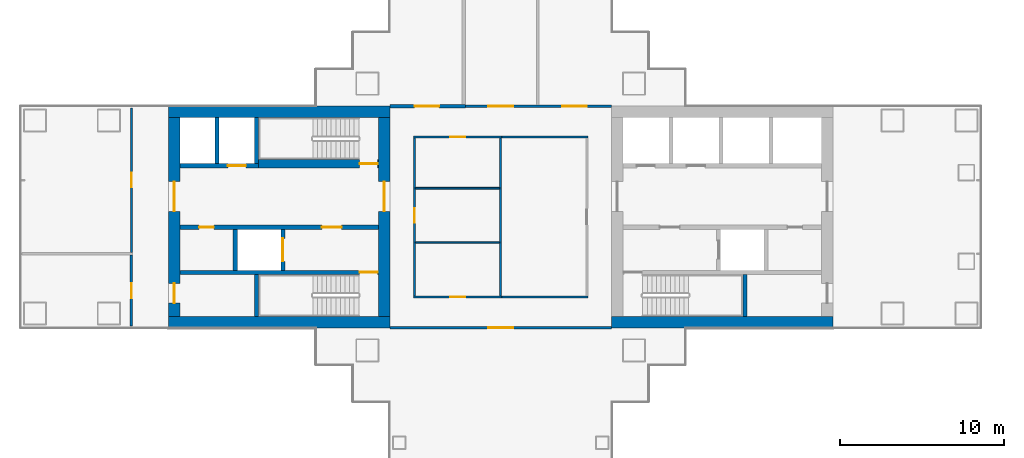
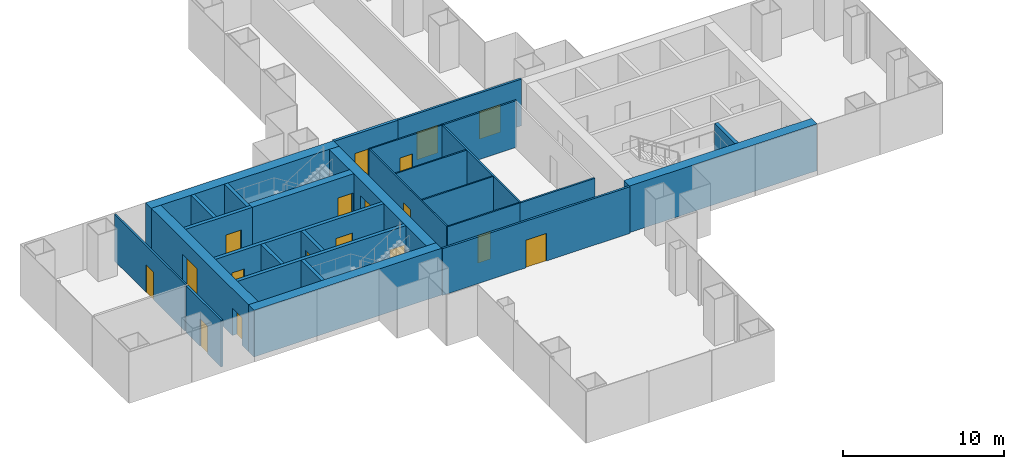
# One storey, part 13 of 21: 28 walls, 18 doors, 18 openings.
"""IFC4 building model written with IfcOpenShell, lengths in metres."""

import ifcopenshell
import ifcopenshell.guid

model = None  # the IFC model being written
_history = None  # IfcOwnerHistory: only IFC2X3 demands one
_inside = {}  # id of a spatial element -> (the spatial element, [elements in it])
_under = {}  # id of a project, library or spatial element -> (it, [spatial elements below it])
_declared = {}  # id of a project -> (the project, [libraries it declares])
_typed = {}  # id of a type object -> (the type object, [elements of that type])
_made_of = {}  # id of a material, layer set ... -> (it, [elements and type objects made of it])


def new_model(schema):
    """Start an empty IFC model of exactly this schema.

    Asked for "IFC4X3", IfcOpenShell would pick the latest addendum, in which some entities
    have other attributes; the version numbers below select the first issue.
    IFC2X3 requires an IfcOwnerHistory on every rooted entity: one is made here for all.
    """
    global model, _history
    if schema == "IFC4X3":
        model = ifcopenshell.file(schema_version=(4, 3, 0, 0))
    else:
        model = ifcopenshell.file(schema=schema)
    _inside.clear()
    _under.clear()
    _declared.clear()
    _typed.clear()
    _made_of.clear()
    _history = None
    if model.schema == "IFC2X3":
        org = make("IfcOrganization", Name="unknown")
        user = make(
            "IfcPersonAndOrganization",
            ThePerson=make("IfcPerson", FamilyName="unknown"),
            TheOrganization=org,
        )
        app = make(
            "IfcApplication",
            ApplicationDeveloper=org,
            Version="unknown",
            ApplicationFullName="unknown",
            ApplicationIdentifier="unknown",
        )
        _history = make(
            "IfcOwnerHistory",
            OwningUser=user,
            OwningApplication=app,
            ChangeAction="ADDED",
            CreationDate=0,
        )
    return model


def make(cls, **values):
    """One entity of the class cls with the attributes given. An attribute that is None is left unset."""
    return model.create_entity(
        cls, **{name: value for name, value in values.items() if value is not None}
    )


def rooted(cls, **values):
    """An entity with a GlobalId (a new one), such as an element, a storey or a relation."""
    return make(cls, GlobalId=ifcopenshell.guid.new(), OwnerHistory=_history, **values)


def si_unit(unit_type, name, prefix=None):
    """IfcSIUnit, for example si_unit("LENGTHUNIT", "METRE", prefix="MILLI")."""
    return make("IfcSIUnit", UnitType=unit_type, Prefix=prefix, Name=name)


def assignment(units):
    """IfcUnitAssignment: the units of a project."""
    return None if units is None else make("IfcUnitAssignment", Units=units)


def point(xyz):
    """IfcCartesianPoint."""
    return None if xyz is None else make("IfcCartesianPoint", Coordinates=xyz)


def direction(xyz):
    """IfcDirection."""
    return None if xyz is None else make("IfcDirection", DirectionRatios=xyz)


def frame(location, z_axis=None, x_axis=None):
    """IfcAxis2Placement3D, a coordinate frame: its origin and axes. An axis left out is left unset."""
    return make(
        "IfcAxis2Placement3D",
        Location=point(location),
        Axis=direction(z_axis),
        RefDirection=direction(x_axis),
    )


def frame_2d(location, x_axis=None):
    """IfcAxis2Placement2D, a coordinate frame in the plane: its origin and x axis."""
    return make(
        "IfcAxis2Placement2D", Location=point(location), RefDirection=direction(x_axis)
    )


def origin():
    """The frame at (0, 0, 0) with its axes left unset."""
    return frame((0.0, 0.0, 0.0))


def place(relative_to, where):
    """IfcLocalPlacement: puts the frame where relative to a parent placement (None: the world)."""
    return make(
        "IfcLocalPlacement", PlacementRelTo=relative_to, RelativePlacement=where
    )


def context(
    kind, dimensions, precision=None, world=None, true_north=None, identifier=None
):
    """IfcGeometricRepresentationContext, for example the 3D "Model" context."""
    return make(
        "IfcGeometricRepresentationContext",
        ContextIdentifier=identifier,
        ContextType=kind,
        CoordinateSpaceDimension=dimensions,
        Precision=precision,
        WorldCoordinateSystem=world,
        TrueNorth=true_north,
    )


def subcontext(parent, identifier, kind, view, scale=None):
    """IfcGeometricRepresentationSubContext, for example "Body" below "Model"."""
    return make(
        "IfcGeometricRepresentationSubContext",
        ContextIdentifier=identifier,
        ContextType=kind,
        ParentContext=parent,
        TargetScale=scale,
        TargetView=view,
    )


def project(units=None, contexts=None):
    """IfcProject with its units and contexts."""
    return rooted(
        "IfcProject",
        Name="project",
        RepresentationContexts=contexts,
        UnitsInContext=assignment(units),
    )


def spatial(cls, under=None, at=None, **own):
    """A site, building, storey or space (cls), placed at a placement, below another one or the project."""
    s = rooted(cls, ObjectPlacement=at, **own)
    if under is not None:
        _under.setdefault(under.id(), (under, []))[1].append(s)
    return s


def profile(cls, at=None, kind="AREA", **sizes):
    """A parametric profile (cls). Its sizes go by their IFC names, for example OverallWidth=200.0."""
    return make(cls, ProfileType=kind, Position=at, **sizes)


def rectangle(**sizes):
    """IfcRectangleProfileDef."""
    return profile("IfcRectangleProfileDef", **sizes)


def extrude(swept, where, along, depth):
    """IfcExtrudedAreaSolid: the profile swept, set in the frame where, extruded along a direction by depth."""
    return make(
        "IfcExtrudedAreaSolid",
        SweptArea=swept,
        Position=where,
        ExtrudedDirection=direction(along),
        Depth=depth,
    )


def shape(context_of_items, identifier, shape_type, items):
    """IfcShapeRepresentation: the items that make up one representation, for example the "Body"."""
    return make(
        "IfcShapeRepresentation",
        ContextOfItems=context_of_items,
        RepresentationIdentifier=identifier,
        RepresentationType=shape_type,
        Items=items,
    )


def material(Name=None, Category=None):
    """IfcMaterial."""
    return make("IfcMaterial", Name=Name, Category=Category)


def layer(
    of_material, thickness, ventilated=None, Name=None, Category=None, Priority=None
):
    """IfcMaterialLayer: one layer of a wall or slab, of a material (None: an air gap)."""
    return make(
        "IfcMaterialLayer",
        Material=of_material,
        LayerThickness=thickness,
        IsVentilated=ventilated,
        Name=Name,
        Category=Category,
        Priority=Priority,
    )


def layer_set(layers, Name=None):
    """IfcMaterialLayerSet."""
    return make("IfcMaterialLayerSet", MaterialLayers=layers, LayerSetName=Name)


def made_of(thing, what):
    """Note that an element or type object is made of a material, layer set ...; save() writes the relation."""
    if what is not None:
        _made_of.setdefault(what.id(), (what, []))[1].append(thing)
    return thing


def type_object(cls, material=None, **own):
    """A type object (cls), such as IfcWallType, which elements share."""
    return made_of(rooted(cls, **own), material)


def element(
    cls,
    number,
    at=None,
    inside=None,
    cuts=None,
    type_object=None,
    material=None,
    context=None,
    identifier="Body",
    shape_type=None,
    held_by="IfcProductDefinitionShape",
    body=None,
    shapes=None,
    **own,
):
    """One element of the class cls, such as IfcWall. Its Tag is "e" and its number.

    at: its placement. inside: the storey or other place that contains it. cuts: it is an
    opening in that element (IfcRelVoidsElement). A single representation is given by context,
    identifier, shape_type and body (its items); several are given by shapes. held_by: the class
    of the entity that holds the representations. save() writes the other relations.
    """
    e = rooted(cls, Tag="e%d" % number, ObjectPlacement=at, **own)
    if body is not None:
        shapes = [shape(context, identifier, shape_type, body)]
    if shapes is not None:
        e.Representation = make(held_by, Representations=shapes)
    if inside is not None:
        _inside.setdefault(inside.id(), (inside, []))[1].append(e)
    if cuts is not None:
        rooted(
            "IfcRelVoidsElement", RelatingBuildingElement=cuts, RelatedOpeningElement=e
        )
    if type_object is not None:
        _typed.setdefault(type_object.id(), (type_object, []))[1].append(e)
    return made_of(e, material)


def fill(opening, filler):
    """IfcRelFillsElement: the door or window that sits in an opening."""
    return rooted(
        "IfcRelFillsElement",
        RelatingOpeningElement=opening,
        RelatedBuildingElement=filler,
    )


def aggregate(whole, parts):
    """IfcRelAggregates: a whole, such as a stair, and the parts it consists of."""
    return rooted("IfcRelAggregates", RelatingObject=whole, RelatedObjects=parts)


def save(model, path):
    """Write the relations noted so far, then the file.

    IfcRelAggregates (storeys below a building ...), IfcRelContainedInSpatialStructure (elements
    in a storey), IfcRelDefinesByType, IfcRelAssociatesMaterial and IfcRelDeclares: one each for
    every whole, place, type object, material and project.
    """
    for whole, parts in _under.values():
        aggregate(whole, parts)
    for where, things in _inside.values():
        rooted(
            "IfcRelContainedInSpatialStructure",
            RelatedElements=things,
            RelatingStructure=where,
        )
    for kind, things in _typed.values():
        rooted("IfcRelDefinesByType", RelatedObjects=things, RelatingType=kind)
    for what, things in _made_of.values():
        rooted("IfcRelAssociatesMaterial", RelatedObjects=things, RelatingMaterial=what)
    for by, libraries in _declared.values():
        rooted("IfcRelDeclares", RelatingContext=by, RelatedDefinitions=libraries)
    model.write(path)


model = new_model("IFC4")

# Units and contexts
model_context = context("Model", 3, precision=1e-05, world=origin(), true_north=direction((0.0, 1.0)))
body_context = subcontext(model_context, "Body", "Model", "MODEL_VIEW")
ifc_project = project(units=[si_unit("LENGTHUNIT", "METRE"), si_unit("AREAUNIT", "SQUARE_METRE"), si_unit("VOLUMEUNIT", "CUBIC_METRE"), si_unit("PLANEANGLEUNIT", "RADIAN"), si_unit("MASSUNIT", "GRAM", prefix="KILO")], contexts=[model_context])

# Site, building, storey
site_placement = place(None, origin())
site = spatial("IfcSite", under=ifc_project, at=site_placement, CompositionType="ELEMENT")
building_placement = place(site_placement, origin())
building = spatial("IfcBuilding", under=site, at=building_placement, Name="Shamsa Quay Exchange Towers", CompositionType="ELEMENT")
storey_placement = place(building_placement, frame((0.0, 0.0, 53.699951171875)))
storey = spatial("IfcBuildingStorey", under=building, at=storey_placement, Name="L11", CompositionType="ELEMENT", Elevation=53.699951171875)

# Walls
ifc_material_1 = material(Name="Concrete C80/95", Category="concrete")
ifc_layer_1 = layer(ifc_material_1, 0.699951171875)
ifc_layer_set_1 = layer_set([ifc_layer_1], Name="CORE WALL 700 C80/95")
wall_type_1 = type_object("IfcWallType", Name="CORE WALL 700 C80/95", PredefinedType="SHEAR", material=ifc_layer_set_1)
wall_1_placement = place(storey_placement, frame((-27.0, -6.39990234375, 0.0)))
element("IfcWall", 1, at=wall_1_placement, inside=storey, type_object=wall_type_1, Name="Core wall T1A-R04-PS", PredefinedType="SHEAR", context=body_context, shape_type="SweptSolid", body=[
    extrude(rectangle(XDim=13.5, YDim=0.699951171875, at=frame_2d((6.75, 0.0))), origin(), (0.0, 0.0, 1.0), 3.550048828125),
])
for number, where, z_axis, x_axis, name in (
    (2, (-40.5, -6.39990234375, 0.0), (0.0, 0.0, 1.0), (-1.0, 0.0, 0.0), "Core wall T1B-R04-PS"),
    (3, (-40.5, 6.39990234375, 0.0), (0.0, 0.0, 1.0), (-1.0, 0.0, 0.0), "Core wall T1B-R04-PN"),
):
    element("IfcWall", number, at=place(storey_placement, frame(where, z_axis=z_axis, x_axis=x_axis)), inside=storey, type_object=wall_type_1, Name=name, PredefinedType="SHEAR", context=body_context, shape_type="SweptSolid", body=[
        extrude(rectangle(XDim=13.5, YDim=0.699951171875, at=frame_2d((6.75, 0.0))), origin(), (0.0, 0.0, 1.0), 3.550048828125),
    ])

# Wall, opening, door
wall_2_placement = place(storey_placement, frame((-40.85009765625, -6.050048828125, 0.0), z_axis=(0.0, 0.0, 1.0), x_axis=(0.0, 1.0, 0.0)))
wall_2 = element("IfcWall", 4, at=wall_2_placement, inside=storey, type_object=wall_type_1, Name="Core wall T1B-R04-PF", PredefinedType="SHEAR", context=body_context, shape_type="SweptSolid", body=[
    extrude(rectangle(XDim=12.10009765625, YDim=0.699951171875, at=frame_2d((6.050048828125, 0.0))), origin(), (0.0, 0.0, 1.0), 3.550048828125),
])
opening_1_placement = place(wall_2_placement, frame((6.39990234375, 0.0, 0.0)))
opening_1 = element("IfcOpeningElement", 5, at=opening_1_placement, cuts=wall_2, Name="Opening T1B-R04-LBD01", PredefinedType="OPENING", context=body_context, shape_type="SweptSolid", body=[
    extrude(rectangle(XDim=1.800048828125, YDim=2.39990234375, at=frame_2d((0.89990234375, 1.199951171875))), frame((0.0, 0.35986328125, 0.0), z_axis=(0.0, -1.0, 0.0), x_axis=(1.0, 0.0, 0.0)), (0.0, 0.0, 1.0), 0.719970703125),
])
ifc_material_2 = material(Name="Steel, fire rated", Category="steel")
door_type_1 = type_object("IfcDoorType", Name="LIFT LOBBY DOOR PAIR 1800", OperationType="DOUBLE_DOOR_SINGLE_SWING", PredefinedType="DOOR", material=ifc_material_2)
door_1_placement = place(opening_1_placement, origin())
door_1 = element("IfcDoor", 6, at=door_1_placement, inside=storey, type_object=door_type_1, Name="T1B-R04-LBD01", OperationType="DOUBLE_DOOR_SINGLE_SWING", OverallHeight=2.39990234375, OverallWidth=1.800048828125, PredefinedType="DOOR", context=body_context, shape_type="SweptSolid", body=[
    extrude(rectangle(XDim=1.800048828125, YDim=2.39990234375, at=frame_2d((0.89990234375, 1.199951171875))), frame((0.0, 0.02490234375, 0.0), z_axis=(0.0, -1.0, 0.0), x_axis=(1.0, 0.0, 0.0)), (0.0, 0.0, 1.0), 0.050048828125),
])
fill(opening_1, door_1)

# Wall, openings, doors
wall_3_placement = place(storey_placement, frame((-53.64990234375, -6.050048828125, 0.0), z_axis=(0.0, 0.0, 1.0), x_axis=(0.0, 1.0, 0.0)))
wall_3 = element("IfcWall", 7, at=wall_3_placement, inside=storey, type_object=wall_type_1, Name="Core wall T1B-R04-PB", PredefinedType="SHEAR", context=body_context, shape_type="SweptSolid", body=[
    extrude(rectangle(XDim=12.10009765625, YDim=0.699951171875, at=frame_2d((6.050048828125, 0.0))), origin(), (0.0, 0.0, 1.0), 3.550048828125),
])
opening_2_placement = place(wall_3_placement, frame((0.800048828125, 0.0, 0.0)))
opening_2 = element("IfcOpeningElement", 8, at=opening_2_placement, cuts=wall_3, Name="Opening T1B-R04-RD02", PredefinedType="OPENING", context=body_context, shape_type="SweptSolid", body=[
    extrude(rectangle(XDim=1.199951171875, YDim=2.10009765625, at=frame_2d((0.60009765625, 1.050048828125))), frame((0.0, 0.35986328125, 0.0), z_axis=(0.0, -1.0, 0.0), x_axis=(1.0, 0.0, 0.0)), (0.0, 0.0, 1.0), 0.719970703125),
])
opening_3_placement = place(wall_3_placement, frame((6.39990234375, 0.0, 0.0)))
opening_3 = element("IfcOpeningElement", 9, at=opening_3_placement, cuts=wall_3, Name="Opening T1B-R04-LBD03", PredefinedType="OPENING", context=body_context, shape_type="SweptSolid", body=[
    extrude(rectangle(XDim=1.800048828125, YDim=2.39990234375, at=frame_2d((0.89990234375, 1.199951171875))), frame((0.0, 0.35986328125, 0.0), z_axis=(0.0, -1.0, 0.0), x_axis=(1.0, 0.0, 0.0)), (0.0, 0.0, 1.0), 0.719970703125),
])
door_2_placement = place(opening_3_placement, origin())
door_2 = element("IfcDoor", 10, at=door_2_placement, inside=storey, type_object=door_type_1, Name="T1B-R04-LBD03", OperationType="DOUBLE_DOOR_SINGLE_SWING", OverallHeight=2.39990234375, OverallWidth=1.800048828125, PredefinedType="DOOR", context=body_context, shape_type="SweptSolid", body=[
    extrude(rectangle(XDim=1.800048828125, YDim=2.39990234375, at=frame_2d((0.89990234375, 1.199951171875))), frame((0.0, 0.02490234375, 0.0), z_axis=(0.0, -1.0, 0.0), x_axis=(1.0, 0.0, 0.0)), (0.0, 0.0, 1.0), 0.050048828125),
])
fill(opening_3, door_2)
door_type_2 = type_object("IfcDoorType", Name="RISER ACCESS DOOR 1200", OperationType="SINGLE_SWING_LEFT", PredefinedType="DOOR", material=ifc_material_2)
door_3_placement = place(opening_2_placement, origin())
door_3 = element("IfcDoor", 11, at=door_3_placement, inside=storey, type_object=door_type_2, Name="T1B-R04-RD02", OperationType="SINGLE_SWING_LEFT", OverallHeight=2.10009765625, OverallWidth=1.199951171875, PredefinedType="DOOR", context=body_context, shape_type="SweptSolid", body=[
    extrude(rectangle(XDim=1.199951171875, YDim=2.10009765625, at=frame_2d((0.60009765625, 1.050048828125))), frame((0.0, 0.02490234375, 0.0), z_axis=(0.0, -1.0, 0.0), x_axis=(1.0, 0.0, 0.0)), (0.0, 0.0, 1.0), 0.050048828125),
])
fill(opening_2, door_3)

# Walls
ifc_material_3 = material(Name="Laminated fire-resisting glass in a metal frame", Category="glass")
ifc_layer_2 = layer(ifc_material_3, 0.125)
ifc_layer_set_2 = layer_set([ifc_layer_2], Name="Glazed partition 125 mm EI 60")
wall_type_2 = type_object("IfcWallType", Name="Glazed partition 125 mm EI 60", PredefinedType="PARTITIONING", material=ifc_layer_set_2)
wall_4_placement = place(storey_placement, frame((-33.8125, -4.875, 0.0)))
element("IfcWall", 12, at=wall_4_placement, inside=storey, type_object=wall_type_2, Name="Partition T1-R04-W04", PredefinedType="PARTITIONING", context=body_context, shape_type="SweptSolid", body=[
    extrude(rectangle(XDim=5.375, YDim=0.125, at=frame_2d((2.6875, 0.0))), origin(), (0.0, 0.0, 1.0), 3.550048828125),
])
wall_5_placement = place(storey_placement, frame((-28.4375, 4.875, 0.0), z_axis=(0.0, 0.0, 1.0), x_axis=(-1.0, 0.0, 0.0)))
element("IfcWall", 13, at=wall_5_placement, inside=storey, type_object=wall_type_2, Name="Partition T1-R04-W06", PredefinedType="PARTITIONING", context=body_context, shape_type="SweptSolid", body=[
    extrude(rectangle(XDim=5.375, YDim=0.125, at=frame_2d((2.6875, 0.0))), origin(), (0.0, 0.0, 1.0), 3.550048828125),
])

# Wall, opening, door
wall_6_placement = place(storey_placement, frame((-56.25, -2.175048828125, 0.0), z_axis=(0.0, 0.0, 1.0), x_axis=(0.0, 1.0, 0.0)))
wall_6 = element("IfcWall", 14, at=wall_6_placement, inside=storey, type_object=wall_type_2, Name="Partition T1-R04-W11", PredefinedType="PARTITIONING", context=body_context, shape_type="SweptSolid", body=[
    extrude(rectangle(XDim=8.830078125, YDim=0.125, at=frame_2d((4.4150390625, 0.0))), origin(), (0.0, 0.0, 1.0), 3.550048828125),
])
opening_4_placement = place(wall_6_placement, frame((3.97509765625, 0.0, 0.0)))
opening_4 = element("IfcOpeningElement", 15, at=opening_4_placement, cuts=wall_6, Name="Opening T1-R04-D02", PredefinedType="OPENING", context=body_context, shape_type="SweptSolid", body=[
    extrude(rectangle(XDim=0.89990234375, YDim=2.10009765625, at=frame_2d((0.449951171875, 1.050048828125))), frame((0.0, 0.072509765625, 0.0), z_axis=(0.0, -1.0, 0.0), x_axis=(1.0, 0.0, 0.0)), (0.0, 0.0, 1.0), 0.14501953125),
])
ifc_material_4 = material(Name="Timber door leaf in a metal frame", Category="wood")
door_type_3 = type_object("IfcDoorType", Name="Door 900x2100 FD30S", OperationType="NOTDEFINED", PredefinedType="DOOR", material=ifc_material_4)
door_4_placement = place(opening_4_placement, origin())
door_4 = element("IfcDoor", 16, at=door_4_placement, inside=storey, type_object=door_type_3, Name="Door T1-R04-D02", OperationType="SINGLE_SWING_RIGHT", OverallHeight=2.10009765625, OverallWidth=0.89990234375, PredefinedType="DOOR", context=body_context, shape_type="SweptSolid", body=[
    extrude(rectangle(XDim=0.89990234375, YDim=2.10009765625, at=frame_2d((0.449951171875, 1.050048828125))), frame((0.0, 0.02490234375, 0.0), z_axis=(0.0, -1.0, 0.0), x_axis=(1.0, 0.0, 0.0)), (0.0, 0.0, 1.0), 0.050048828125),
])
fill(opening_4, door_4)

# Wall
wall_7_placement = place(storey_placement, frame((-33.75, -4.8125, 0.0), z_axis=(0.0, 0.0, 1.0), x_axis=(0.0, 1.0, 0.0)))
element("IfcWall", 17, at=wall_7_placement, inside=storey, type_object=wall_type_2, Name="Partition T1-R04-W13", PredefinedType="PARTITIONING", context=body_context, shape_type="SweptSolid", body=[
    extrude(rectangle(XDim=9.625, YDim=0.125, at=frame_2d((4.8125, 0.0))), origin(), (0.0, 0.0, 1.0), 3.550048828125),
])

# Wall, opening, door
ifc_material_5 = material(Name="Gypsum board partition on metal studs")
ifc_layer_3 = layer(ifc_material_5, 0.10009765625)
ifc_layer_set_3 = layer_set([ifc_layer_3], Name="Partition 100 mm NOT RATED")
wall_type_3 = type_object("IfcWallType", Name="Partition 100 mm NOT RATED", PredefinedType="PARTITIONING", material=ifc_layer_set_3)
wall_8_placement = place(storey_placement, frame((-39.050048828125, -4.875, 0.0)))
wall_8 = element("IfcWall", 18, at=wall_8_placement, inside=storey, type_object=wall_type_3, Name="Partition T1-R04-W01", PredefinedType="PARTITIONING", context=body_context, shape_type="SweptSolid", body=[
    extrude(rectangle(XDim=5.362548828125, YDim=0.10009765625, at=frame_2d((2.68115234375, 0.0))), origin(), (0.0, 0.0, 1.0), 3.550048828125),
])
opening_5_placement = place(wall_8_placement, frame((2.22509765625, 0.0, 0.0)))
opening_5 = element("IfcOpeningElement", 19, at=opening_5_placement, cuts=wall_8, Name="Opening T1-R04-D04", PredefinedType="OPENING", context=body_context, shape_type="SweptSolid", body=[
    extrude(rectangle(XDim=0.89990234375, YDim=2.10009765625, at=frame_2d((0.449951171875, 1.050048828125))), frame((0.0, 0.06005859375, 0.0), z_axis=(0.0, -1.0, 0.0), x_axis=(1.0, 0.0, 0.0)), (0.0, 0.0, 1.0), 0.1201171875),
])
door_type_4 = type_object("IfcDoorType", Name="Door 900x2100 NOT RATED", OperationType="NOTDEFINED", PredefinedType="DOOR", material=ifc_material_4)
door_5_placement = place(opening_5_placement, origin())
door_5 = element("IfcDoor", 20, at=door_5_placement, inside=storey, type_object=door_type_4, Name="Door T1-R04-D04", OperationType="SINGLE_SWING_LEFT", OverallHeight=2.10009765625, OverallWidth=0.89990234375, PredefinedType="DOOR", context=body_context, shape_type="SweptSolid", body=[
    extrude(rectangle(XDim=0.89990234375, YDim=2.10009765625, at=frame_2d((0.449951171875, 1.050048828125))), frame((0.0, 0.02490234375, 0.0), z_axis=(0.0, -1.0, 0.0), x_axis=(1.0, 0.0, 0.0)), (0.0, 0.0, 1.0), 0.050048828125),
])
fill(opening_5, door_5)

wall_9_placement = place(storey_placement, frame((-39.0, 4.824951171875, 0.0), z_axis=(0.0, 0.0, 1.0), x_axis=(0.0, -1.0, 0.0)))
wall_9 = element("IfcWall", 21, at=wall_9_placement, inside=storey, type_object=wall_type_3, Name="Partition T1-R04-W02", PredefinedType="PARTITIONING", context=body_context, shape_type="SweptSolid", body=[
    extrude(rectangle(XDim=9.64990234375, YDim=0.10009765625, at=frame_2d((4.824951171875, 0.0))), origin(), (0.0, 0.0, 1.0), 3.550048828125),
])
opening_6_placement = place(wall_9_placement, frame((4.28125, 0.0, 0.0)))
opening_6 = element("IfcOpeningElement", 22, at=opening_6_placement, cuts=wall_9, Name="Opening T1-R04-D05", PredefinedType="OPENING", context=body_context, shape_type="SweptSolid", body=[
    extrude(rectangle(XDim=0.89990234375, YDim=2.10009765625, at=frame_2d((0.449951171875, 1.050048828125))), frame((0.0, 0.06005859375, 0.0), z_axis=(0.0, -1.0, 0.0), x_axis=(1.0, 0.0, 0.0)), (0.0, 0.0, 1.0), 0.1201171875),
])
door_6_placement = place(opening_6_placement, origin())
door_6 = element("IfcDoor", 23, at=door_6_placement, inside=storey, type_object=door_type_4, Name="Door T1-R04-D05", OperationType="SINGLE_SWING_LEFT", OverallHeight=2.10009765625, OverallWidth=0.89990234375, PredefinedType="DOOR", context=body_context, shape_type="SweptSolid", body=[
    extrude(rectangle(XDim=0.89990234375, YDim=2.10009765625, at=frame_2d((0.449951171875, 1.050048828125))), frame((0.0, 0.02490234375, 0.0), z_axis=(0.0, -1.0, 0.0), x_axis=(1.0, 0.0, 0.0)), (0.0, 0.0, 1.0), 0.050048828125),
])
fill(opening_6, door_6)

wall_10_placement = place(storey_placement, frame((-33.6875, 4.875, 0.0), z_axis=(0.0, 0.0, 1.0), x_axis=(-1.0, 0.0, 0.0)))
wall_10 = element("IfcWall", 24, at=wall_10_placement, inside=storey, type_object=wall_type_3, Name="Partition T1-R04-W03", PredefinedType="PARTITIONING", context=body_context, shape_type="SweptSolid", body=[
    extrude(rectangle(XDim=5.362548828125, YDim=0.10009765625, at=frame_2d((2.68115234375, 0.0))), origin(), (0.0, 0.0, 1.0), 3.550048828125),
])
opening_7_placement = place(wall_10_placement, frame((2.237548828125, 0.0, 0.0)))
opening_7 = element("IfcOpeningElement", 25, at=opening_7_placement, cuts=wall_10, Name="Opening T1-R04-D08", PredefinedType="OPENING", context=body_context, shape_type="SweptSolid", body=[
    extrude(rectangle(XDim=0.89990234375, YDim=2.10009765625, at=frame_2d((0.449951171875, 1.050048828125))), frame((0.0, 0.06005859375, 0.0), z_axis=(0.0, -1.0, 0.0), x_axis=(1.0, 0.0, 0.0)), (0.0, 0.0, 1.0), 0.1201171875),
])
door_7_placement = place(opening_7_placement, origin())
door_7 = element("IfcDoor", 26, at=door_7_placement, inside=storey, type_object=door_type_4, Name="Door T1-R04-D08", OperationType="SINGLE_SWING_LEFT", OverallHeight=2.10009765625, OverallWidth=0.89990234375, PredefinedType="DOOR", context=body_context, shape_type="SweptSolid", body=[
    extrude(rectangle(XDim=0.89990234375, YDim=2.10009765625, at=frame_2d((0.449951171875, 1.050048828125))), frame((0.0, 0.02490234375, 0.0), z_axis=(0.0, -1.0, 0.0), x_axis=(1.0, 0.0, 0.0)), (0.0, 0.0, 1.0), 0.050048828125),
])
fill(opening_7, door_7)

# Walls
for number, where, z_axis, x_axis, name in (
    (27, (-33.8125, -1.5625, 0.0), (0.0, 0.0, 1.0), (-1.0, 0.0, 0.0), "Partition T1-R04-W12"),
    (28, (-33.8125, 1.75, 0.0), (0.0, 0.0, 1.0), (-1.0, 0.0, 0.0), "Partition T1-R04-W14"),
):
    element("IfcWall", number, at=place(storey_placement, frame(where, z_axis=z_axis, x_axis=x_axis)), inside=storey, type_object=wall_type_3, Name=name, PredefinedType="PARTITIONING", context=body_context, shape_type="SweptSolid", body=[
        extrude(rectangle(XDim=5.137451171875, YDim=0.10009765625, at=frame_2d((2.56884765625, 0.0))), origin(), (0.0, 0.0, 1.0), 3.550048828125),
    ])

# Wall, openings, doors
ifc_layer_4 = layer(ifc_material_5, 0.14990234375)
ifc_layer_set_4 = layer_set([ifc_layer_4], Name="Partition 150 mm EI 60")
wall_type_4 = type_object("IfcWallType", Name="Partition 150 mm EI 60", PredefinedType="PARTITIONING", material=ifc_layer_set_4)
wall_11_placement = place(storey_placement, frame((-36.10009765625, 6.75, 0.0)))
wall_11 = element("IfcWall", 29, at=wall_11_placement, inside=storey, type_object=wall_type_4, Name="Partition T1-R04-W08", PredefinedType="PARTITIONING", context=body_context, shape_type="SweptSolid", body=[
    extrude(rectangle(XDim=9.10009765625, YDim=0.14990234375, at=frame_2d((4.550048828125, 0.0))), origin(), (0.0, 0.0, 1.0), 3.550048828125),
])
opening_8_placement = place(wall_11_placement, frame((1.60009765625, 0.0, 0.0)))
opening_8 = element("IfcOpeningElement", 30, at=opening_8_placement, cuts=wall_11, Name="Opening T1-R04-D06", PredefinedType="OPENING", context=body_context, shape_type="SweptSolid", body=[
    extrude(rectangle(XDim=1.5, YDim=2.10009765625, at=frame_2d((0.75, 1.050048828125))), frame((0.0, 0.0849609375, 0.0), z_axis=(0.0, -1.0, 0.0), x_axis=(1.0, 0.0, 0.0)), (0.0, 0.0, 1.0), 0.169921875),
])
opening_9_placement = place(wall_11_placement, frame((6.10009765625, 0.0, 0.0)))
opening_9 = element("IfcOpeningElement", 31, at=opening_9_placement, cuts=wall_11, Name="Opening T1-R04-D07", PredefinedType="OPENING", context=body_context, shape_type="SweptSolid", body=[
    extrude(rectangle(XDim=1.5, YDim=2.10009765625, at=frame_2d((0.75, 1.050048828125))), frame((0.0, 0.0849609375, 0.0), z_axis=(0.0, -1.0, 0.0), x_axis=(1.0, 0.0, 0.0)), (0.0, 0.0, 1.0), 0.169921875),
])
door_type_5 = type_object("IfcDoorType", Name="Door 1500x2100 FD30S pair", OperationType="NOTDEFINED", PredefinedType="DOOR", material=ifc_material_4)
door_8_placement = place(opening_8_placement, origin())
door_8 = element("IfcDoor", 32, at=door_8_placement, inside=storey, type_object=door_type_5, Name="Door T1-R04-D06", OperationType="DOUBLE_DOOR_SINGLE_SWING", OverallHeight=2.10009765625, OverallWidth=1.5, PredefinedType="DOOR", context=body_context, shape_type="SweptSolid", body=[
    extrude(rectangle(XDim=1.5, YDim=2.10009765625, at=frame_2d((0.75, 1.050048828125))), frame((0.0, 0.02490234375, 0.0), z_axis=(0.0, -1.0, 0.0), x_axis=(1.0, 0.0, 0.0)), (0.0, 0.0, 1.0), 0.050048828125),
])
fill(opening_8, door_8)
door_9_placement = place(opening_9_placement, origin())
door_9 = element("IfcDoor", 33, at=door_9_placement, inside=storey, type_object=door_type_5, Name="Door T1-R04-D07", OperationType="DOUBLE_DOOR_SINGLE_SWING", OverallHeight=2.10009765625, OverallWidth=1.5, PredefinedType="DOOR", context=body_context, shape_type="SweptSolid", body=[
    extrude(rectangle(XDim=1.5, YDim=2.10009765625, at=frame_2d((0.75, 1.050048828125))), frame((0.0, 0.02490234375, 0.0), z_axis=(0.0, -1.0, 0.0), x_axis=(1.0, 0.0, 0.0)), (0.0, 0.0, 1.0), 0.050048828125),
])
fill(opening_9, door_9)

# Wall, opening, door
wall_12_placement = place(storey_placement, frame((-27.0, -6.75, 0.0), z_axis=(0.0, 0.0, 1.0), x_axis=(-1.0, 0.0, 0.0)))
wall_12 = element("IfcWall", 34, at=wall_12_placement, inside=storey, type_object=wall_type_4, Name="Partition T1-R04-W09", PredefinedType="PARTITIONING", context=body_context, shape_type="SweptSolid", body=[
    extrude(rectangle(XDim=13.5, YDim=0.14990234375, at=frame_2d((6.75, 0.0))), origin(), (0.0, 0.0, 1.0), 3.550048828125),
])
opening_10_placement = place(wall_12_placement, frame((6.0, 0.0, 0.0)))
opening_10 = element("IfcOpeningElement", 35, at=opening_10_placement, cuts=wall_12, Name="Opening T1-R04-D10", PredefinedType="OPENING", context=body_context, shape_type="SweptSolid", body=[
    extrude(rectangle(XDim=1.5, YDim=2.10009765625, at=frame_2d((0.75, 1.050048828125))), frame((0.0, 0.0849609375, 0.0), z_axis=(0.0, -1.0, 0.0), x_axis=(1.0, 0.0, 0.0)), (0.0, 0.0, 1.0), 0.169921875),
])
door_10_placement = place(opening_10_placement, origin())
door_10 = element("IfcDoor", 36, at=door_10_placement, inside=storey, type_object=door_type_5, Name="Door T1-R04-D10", OperationType="DOUBLE_DOOR_SINGLE_SWING", OverallHeight=2.10009765625, OverallWidth=1.5, PredefinedType="DOOR", context=body_context, shape_type="SweptSolid", body=[
    extrude(rectangle(XDim=1.5, YDim=2.10009765625, at=frame_2d((0.75, 1.050048828125))), frame((0.0, 0.02490234375, 0.0), z_axis=(0.0, -1.0, 0.0), x_axis=(1.0, 0.0, 0.0)), (0.0, 0.0, 1.0), 0.050048828125),
])
fill(opening_10, door_10)

wall_13_placement = place(storey_placement, frame((-56.25, -6.655029296875, 0.0), z_axis=(0.0, 0.0, 1.0), x_axis=(0.0, 1.0, 0.0)))
wall_13 = element("IfcWall", 37, at=wall_13_placement, inside=storey, type_object=wall_type_4, Name="Partition T1-R04-W10", PredefinedType="PARTITIONING", context=body_context, shape_type="SweptSolid", body=[
    extrude(rectangle(XDim=4.330078125, YDim=0.14990234375, at=frame_2d((2.1650390625, 0.0))), origin(), (0.0, 0.0, 1.0), 3.550048828125),
])
opening_11_placement = place(wall_13_placement, frame((1.705078125, 0.0, 0.0)))
opening_11 = element("IfcOpeningElement", 38, at=opening_11_placement, cuts=wall_13, Name="Opening T1-R04-D01", PredefinedType="OPENING", context=body_context, shape_type="SweptSolid", body=[
    extrude(rectangle(XDim=0.89990234375, YDim=2.10009765625, at=frame_2d((0.449951171875, 1.050048828125))), frame((0.0, 0.0849609375, 0.0), z_axis=(0.0, -1.0, 0.0), x_axis=(1.0, 0.0, 0.0)), (0.0, 0.0, 1.0), 0.169921875),
])
door_11_placement = place(opening_11_placement, origin())
door_11 = element("IfcDoor", 39, at=door_11_placement, inside=storey, type_object=door_type_3, Name="Door T1-R04-D01", OperationType="SINGLE_SWING_LEFT", OverallHeight=2.10009765625, OverallWidth=0.89990234375, PredefinedType="DOOR", context=body_context, shape_type="SweptSolid", body=[
    extrude(rectangle(XDim=0.89990234375, YDim=2.10009765625, at=frame_2d((0.449951171875, 1.050048828125))), frame((0.0, 0.02490234375, 0.0), z_axis=(0.0, -1.0, 0.0), x_axis=(1.0, 0.0, 0.0)), (0.0, 0.0, 1.0), 0.050048828125),
])
fill(opening_11, door_11)

ifc_layer_5 = layer(ifc_material_5, 0.199951171875)
ifc_layer_set_5 = layer_set([ifc_layer_5], Name="Partition 200 mm EI 90")
wall_type_5 = type_object("IfcWallType", Name="Partition 200 mm EI 90", PredefinedType="PARTITIONING", material=ifc_layer_set_5)
wall_14_placement = place(storey_placement, frame((-40.5, 6.75, 0.0)))
wall_14 = element("IfcWall", 40, at=wall_14_placement, inside=storey, type_object=wall_type_5, Name="Partition T1-R04-W07", PredefinedType="PARTITIONING", context=body_context, shape_type="SweptSolid", body=[
    extrude(rectangle(XDim=4.60009765625, YDim=0.199951171875, at=frame_2d((2.300048828125, 0.0))), origin(), (0.0, 0.0, 1.0), 3.550048828125),
])
opening_12_placement = place(wall_14_placement, frame((1.5, 0.0, 0.0)))
opening_12 = element("IfcOpeningElement", 41, at=opening_12_placement, cuts=wall_14, Name="Opening T1-R04-D03", PredefinedType="OPENING", context=body_context, shape_type="SweptSolid", body=[
    extrude(rectangle(XDim=1.5, YDim=2.10009765625, at=frame_2d((0.75, 1.050048828125))), frame((0.0, 0.10986328125, 0.0), z_axis=(0.0, -1.0, 0.0), x_axis=(1.0, 0.0, 0.0)), (0.0, 0.0, 1.0), 0.219970703125),
])
door_12_placement = place(opening_12_placement, origin())
door_12 = element("IfcDoor", 42, at=door_12_placement, inside=storey, type_object=door_type_5, Name="Door T1-R04-D03", OperationType="DOUBLE_DOOR_SINGLE_SWING", OverallHeight=2.10009765625, OverallWidth=1.5, PredefinedType="DOOR", context=body_context, shape_type="SweptSolid", body=[
    extrude(rectangle(XDim=1.5, YDim=2.10009765625, at=frame_2d((0.75, 1.050048828125))), frame((0.0, 0.02490234375, 0.0), z_axis=(0.0, -1.0, 0.0), x_axis=(1.0, 0.0, 0.0)), (0.0, 0.0, 1.0), 0.050048828125),
])
fill(opening_12, door_12)

# Wall
ifc_material_6 = material(Name="Concrete C50/60", Category="concrete")
ifc_layer_6 = layer(ifc_material_6, 0.25)
ifc_layer_set_6 = layer_set([ifc_layer_6], Name="SHAFT WALL 250 C50/60")
wall_type_6 = type_object("IfcWallType", Name="SHAFT WALL 250 C50/60", PredefinedType="SHEAR", material=ifc_layer_set_6)
wall_15_placement = place(storey_placement, frame((-18.875, -6.050048828125, 0.0), z_axis=(0.0, 0.0, 1.0), x_axis=(0.0, 1.0, 0.0)))
element("IfcWall", 43, at=wall_15_placement, inside=storey, type_object=wall_type_6, Name="Shaft wall T1A-R04-STF", PredefinedType="SHEAR", context=body_context, shape_type="SweptSolid", body=[
    extrude(rectangle(XDim=2.550048828125, YDim=0.25, at=frame_2d((1.27490234375, 0.0))), origin(), (0.0, 0.0, 1.0), 3.550048828125),
])

# Wall, opening, door
wall_16_placement = place(storey_placement, frame((-41.199951171875, -3.375, 0.0), z_axis=(0.0, 0.0, 1.0), x_axis=(-1.0, 0.0, 0.0)))
wall_16 = element("IfcWall", 44, at=wall_16_placement, inside=storey, type_object=wall_type_6, Name="Shaft wall T1B-R04-STL", PredefinedType="SHEAR", context=body_context, shape_type="SweptSolid", body=[
    extrude(rectangle(XDim=12.10009765625, YDim=0.25, at=frame_2d((6.050048828125, 0.0))), origin(), (0.0, 0.0, 1.0), 3.550048828125),
])
opening_13_placement = place(wall_16_placement, frame((0.050048828125, 0.0, 0.0)))
opening_13 = element("IfcOpeningElement", 45, at=opening_13_placement, cuts=wall_16, Name="Opening T1B-R04-SD04", PredefinedType="OPENING", context=body_context, shape_type="SweptSolid", body=[
    extrude(rectangle(XDim=1.10009765625, YDim=2.10009765625, at=frame_2d((0.550048828125, 1.050048828125))), frame((0.0, 0.135009765625, 0.0), z_axis=(0.0, -1.0, 0.0), x_axis=(1.0, 0.0, 0.0)), (0.0, 0.0, 1.0), 0.27001953125),
])
door_type_6 = type_object("IfcDoorType", Name="STAIR DOOR 1100", OperationType="SINGLE_SWING_LEFT", PredefinedType="DOOR", material=ifc_material_2)
door_13_placement = place(opening_13_placement, origin())
door_13 = element("IfcDoor", 46, at=door_13_placement, inside=storey, type_object=door_type_6, Name="T1B-R04-SD04", OperationType="SINGLE_SWING_LEFT", OverallHeight=2.10009765625, OverallWidth=1.10009765625, PredefinedType="DOOR", context=body_context, shape_type="SweptSolid", body=[
    extrude(rectangle(XDim=1.10009765625, YDim=2.10009765625, at=frame_2d((0.550048828125, 1.050048828125))), frame((0.0, 0.02490234375, 0.0), z_axis=(0.0, -1.0, 0.0), x_axis=(1.0, 0.0, 0.0)), (0.0, 0.0, 1.0), 0.050048828125),
])
fill(opening_13, door_13)

# Wall
wall_17_placement = place(storey_placement, frame((-48.625, -6.050048828125, 0.0), z_axis=(0.0, 0.0, 1.0), x_axis=(0.0, 1.0, 0.0)))
element("IfcWall", 47, at=wall_17_placement, inside=storey, type_object=wall_type_6, Name="Shaft wall T1B-R04-STF", PredefinedType="SHEAR", context=body_context, shape_type="SweptSolid", body=[
    extrude(rectangle(XDim=2.550048828125, YDim=0.25, at=frame_2d((1.27490234375, 0.0))), origin(), (0.0, 0.0, 1.0), 3.550048828125),
])

# Wall, openings, doors
wall_18_placement = place(storey_placement, frame((-41.199951171875, -0.625, 0.0), z_axis=(0.0, 0.0, 1.0), x_axis=(-1.0, 0.0, 0.0)))
wall_18 = element("IfcWall", 48, at=wall_18_placement, inside=storey, type_object=wall_type_6, Name="Shaft wall T1B-R04-B", PredefinedType="SHEAR", context=body_context, shape_type="SweptSolid", body=[
    extrude(rectangle(XDim=12.10009765625, YDim=0.25, at=frame_2d((6.050048828125, 0.0))), origin(), (0.0, 0.0, 1.0), 3.550048828125),
])
opening_14_placement = place(wall_18_placement, frame((2.25, 0.0, 0.0)))
opening_14 = element("IfcOpeningElement", 49, at=opening_14_placement, cuts=wall_18, Name="Opening T1B-R04-FD05", PredefinedType="OPENING", context=body_context, shape_type="SweptSolid", body=[
    extrude(rectangle(XDim=1.199951171875, YDim=2.10009765625, at=frame_2d((0.60009765625, 1.050048828125))), frame((0.0, 0.135009765625, 0.0), z_axis=(0.0, -1.0, 0.0), x_axis=(1.0, 0.0, 0.0)), (0.0, 0.0, 1.0), 0.27001953125),
])
opening_15_placement = place(wall_18_placement, frame((10.02490234375, 0.0, 0.0)))
opening_15 = element("IfcOpeningElement", 50, at=opening_15_placement, cuts=wall_18, Name="Opening T1B-R04-SV06", PredefinedType="OPENING", context=body_context, shape_type="SweptSolid", body=[
    extrude(rectangle(XDim=0.89990234375, YDim=2.10009765625, at=frame_2d((0.449951171875, 1.050048828125))), frame((0.0, 0.135009765625, 0.0), z_axis=(0.0, -1.0, 0.0), x_axis=(1.0, 0.0, 0.0)), (0.0, 0.0, 1.0), 0.27001953125),
])
door_type_7 = type_object("IfcDoorType", Name="FIRE SERVICE LOBBY DOOR 1200", OperationType="SINGLE_SWING_LEFT", PredefinedType="DOOR", material=ifc_material_2)
door_14_placement = place(opening_14_placement, origin())
door_14 = element("IfcDoor", 51, at=door_14_placement, inside=storey, type_object=door_type_7, Name="T1B-R04-FD05", OperationType="SINGLE_SWING_LEFT", OverallHeight=2.10009765625, OverallWidth=1.199951171875, PredefinedType="DOOR", context=body_context, shape_type="SweptSolid", body=[
    extrude(rectangle(XDim=1.199951171875, YDim=2.10009765625, at=frame_2d((0.60009765625, 1.050048828125))), frame((0.0, 0.02490234375, 0.0), z_axis=(0.0, -1.0, 0.0), x_axis=(1.0, 0.0, 0.0)), (0.0, 0.0, 1.0), 0.050048828125),
])
fill(opening_14, door_14)
door_type_8 = type_object("IfcDoorType", Name="SERVICE ROOM DOOR 900", OperationType="SINGLE_SWING_LEFT", PredefinedType="DOOR", material=ifc_material_2)
door_15_placement = place(opening_15_placement, origin())
door_15 = element("IfcDoor", 52, at=door_15_placement, inside=storey, type_object=door_type_8, Name="T1B-R04-SV06", OperationType="SINGLE_SWING_RIGHT", OverallHeight=2.10009765625, OverallWidth=0.89990234375, PredefinedType="DOOR", context=body_context, shape_type="SweptSolid", body=[
    extrude(rectangle(XDim=0.89990234375, YDim=2.10009765625, at=frame_2d((0.449951171875, 1.050048828125))), frame((0.0, 0.02490234375, 0.0), z_axis=(0.0, -1.0, 0.0), x_axis=(1.0, 0.0, 0.0)), (0.0, 0.0, 1.0), 0.050048828125),
])
fill(opening_15, door_15)

# Wall, opening, door
wall_19_placement = place(storey_placement, frame((-47.02490234375, -3.25, 0.0), z_axis=(0.0, 0.0, 1.0), x_axis=(0.0, 1.0, 0.0)))
wall_19 = element("IfcWall", 53, at=wall_19_placement, inside=storey, type_object=wall_type_6, Name="Shaft wall T1B-R04-FFF", PredefinedType="SHEAR", context=body_context, shape_type="SweptSolid", body=[
    extrude(rectangle(XDim=2.5, YDim=0.25, at=frame_2d((1.25, 0.0))), origin(), (0.0, 0.0, 1.0), 3.550048828125),
])
opening_16_placement = place(wall_19_placement, frame((0.550048828125, 0.0, 0.0)))
opening_16 = element("IfcOpeningElement", 54, at=opening_16_placement, cuts=wall_19, Name="Opening T1B-R04-LDG07", PredefinedType="OPENING", context=body_context, shape_type="SweptSolid", body=[
    extrude(rectangle(XDim=1.39990234375, YDim=2.39990234375, at=frame_2d((0.699951171875, 1.199951171875))), frame((0.0, 0.135009765625, 0.0), z_axis=(0.0, -1.0, 0.0), x_axis=(1.0, 0.0, 0.0)), (0.0, 0.0, 1.0), 0.27001953125),
])
door_type_9 = type_object("IfcDoorType", Name="GOODS LIFT LANDING DOOR 1400", OperationType="SLIDING_TO_LEFT", PredefinedType="DOOR", material=ifc_material_2)
door_16_placement = place(opening_16_placement, origin())
door_16 = element("IfcDoor", 55, at=door_16_placement, inside=storey, type_object=door_type_9, Name="T1B-R04-LDG07", OperationType="SLIDING_TO_LEFT", OverallHeight=2.39990234375, OverallWidth=1.39990234375, PredefinedType="DOOR", context=body_context, shape_type="SweptSolid", body=[
    extrude(rectangle(XDim=1.39990234375, YDim=2.39990234375, at=frame_2d((0.699951171875, 1.199951171875))), frame((0.0, 0.02490234375, 0.0), z_axis=(0.0, -1.0, 0.0), x_axis=(1.0, 0.0, 0.0)), (0.0, 0.0, 1.0), 0.050048828125),
])
fill(opening_16, door_16)

# Wall
wall_20_placement = place(storey_placement, frame((-49.925048828125, -3.25, 0.0), z_axis=(0.0, 0.0, 1.0), x_axis=(0.0, 1.0, 0.0)))
element("IfcWall", 56, at=wall_20_placement, inside=storey, type_object=wall_type_6, Name="Shaft wall T1B-R04-FFB", PredefinedType="SHEAR", context=body_context, shape_type="SweptSolid", body=[
    extrude(rectangle(XDim=2.5, YDim=0.25, at=frame_2d((1.25, 0.0))), origin(), (0.0, 0.0, 1.0), 3.550048828125),
])

# Wall, opening, door
wall_21_placement = place(storey_placement, frame((-48.5, 3.125, 0.0), z_axis=(0.0, 0.0, 1.0), x_axis=(-1.0, 0.0, 0.0)))
wall_21 = element("IfcWall", 57, at=wall_21_placement, inside=storey, type_object=wall_type_6, Name="Shaft wall T1B-R04-N2", PredefinedType="SHEAR", context=body_context, shape_type="SweptSolid", body=[
    extrude(rectangle(XDim=4.800048828125, YDim=0.25, at=frame_2d((2.39990234375, 0.0))), origin(), (0.0, 0.0, 1.0), 3.550048828125),
])
opening_17_placement = place(wall_21_placement, frame((0.77490234375, 0.0, 0.0)))
opening_17 = element("IfcOpeningElement", 58, at=opening_17_placement, cuts=wall_21, Name="Opening T1B-R04-LD09", PredefinedType="OPENING", context=body_context, shape_type="SweptSolid", body=[
    extrude(rectangle(XDim=1.10009765625, YDim=2.10009765625, at=frame_2d((0.550048828125, 1.050048828125))), frame((0.0, 0.135009765625, 0.0), z_axis=(0.0, -1.0, 0.0), x_axis=(1.0, 0.0, 0.0)), (0.0, 0.0, 1.0), 0.27001953125),
])
door_type_10 = type_object("IfcDoorType", Name="LANDING DOOR 1100", OperationType="SLIDING_TO_LEFT", PredefinedType="DOOR", material=ifc_material_2)
door_17_placement = place(opening_17_placement, origin())
door_17 = element("IfcDoor", 59, at=door_17_placement, inside=storey, type_object=door_type_10, Name="T1B-R04-LD09", OperationType="SLIDING_TO_LEFT", OverallHeight=2.10009765625, OverallWidth=1.10009765625, PredefinedType="DOOR", context=body_context, shape_type="SweptSolid", body=[
    extrude(rectangle(XDim=1.10009765625, YDim=2.10009765625, at=frame_2d((0.550048828125, 1.050048828125))), frame((0.0, 0.02490234375, 0.0), z_axis=(0.0, -1.0, 0.0), x_axis=(1.0, 0.0, 0.0)), (0.0, 0.0, 1.0), 0.050048828125),
])
fill(opening_17, door_17)

# Walls
for number, where, z_axis, x_axis, name in (
    (60, (-48.625, 3.25, 0.0), (0.0, 0.0, 1.0), (0.0, 1.0, 0.0), "Shaft wall T1B-R04-STF2"),
    (61, (-51.02490234375, 3.25, 0.0), (0.0, 0.0, 1.0), (0.0, 1.0, 0.0), "Shaft wall T1B-R04-D0"),
):
    element("IfcWall", number, at=place(storey_placement, frame(where, z_axis=z_axis, x_axis=x_axis)), inside=storey, type_object=wall_type_6, Name=name, PredefinedType="SHEAR", context=body_context, shape_type="SweptSolid", body=[
        extrude(rectangle(XDim=2.800048828125, YDim=0.25, at=frame_2d((1.39990234375, 0.0))), origin(), (0.0, 0.0, 1.0), 3.550048828125),
    ])

# Wall, opening, door
ifc_layer_7 = layer(ifc_material_6, 0.5)
ifc_layer_set_7 = layer_set([ifc_layer_7], Name="SHAFT WALL 500 C50/60")
wall_type_7 = type_object("IfcWallType", Name="SHAFT WALL 500 C50/60", PredefinedType="SHEAR", material=ifc_layer_set_7)
wall_22_placement = place(storey_placement, frame((-48.5, 3.25, 0.0)))
wall_22 = element("IfcWall", 62, at=wall_22_placement, inside=storey, type_object=wall_type_7, Name="Shaft wall T1B-R04-N", PredefinedType="SHEAR", context=body_context, shape_type="SweptSolid", body=[
    extrude(rectangle(XDim=7.300048828125, YDim=0.5, at=frame_2d((3.64990234375, 0.0))), origin(), (0.0, 0.0, 1.0), 3.550048828125),
])
opening_18_placement = place(wall_22_placement, frame((6.14990234375, 0.0, 0.0)))
opening_18 = element("IfcOpeningElement", 63, at=opening_18_placement, cuts=wall_22, Name="Opening T1B-R04-SD08", PredefinedType="OPENING", context=body_context, shape_type="SweptSolid", body=[
    extrude(rectangle(XDim=1.10009765625, YDim=2.10009765625, at=frame_2d((0.550048828125, 1.050048828125))), frame((0.0, 0.260009765625, 0.0), z_axis=(0.0, -1.0, 0.0), x_axis=(1.0, 0.0, 0.0)), (0.0, 0.0, 1.0), 0.52001953125),
])
door_18_placement = place(opening_18_placement, origin())
door_18 = element("IfcDoor", 64, at=door_18_placement, inside=storey, type_object=door_type_6, Name="T1B-R04-SD08", OperationType="SINGLE_SWING_RIGHT", OverallHeight=2.10009765625, OverallWidth=1.10009765625, PredefinedType="DOOR", context=body_context, shape_type="SweptSolid", body=[
    extrude(rectangle(XDim=1.10009765625, YDim=2.10009765625, at=frame_2d((0.550048828125, 1.050048828125))), frame((0.0, 0.02490234375, 0.0), z_axis=(0.0, -1.0, 0.0), x_axis=(1.0, 0.0, 0.0)), (0.0, 0.0, 1.0), 0.050048828125),
])
fill(opening_18, door_18)

save(model, "model.ifc")
